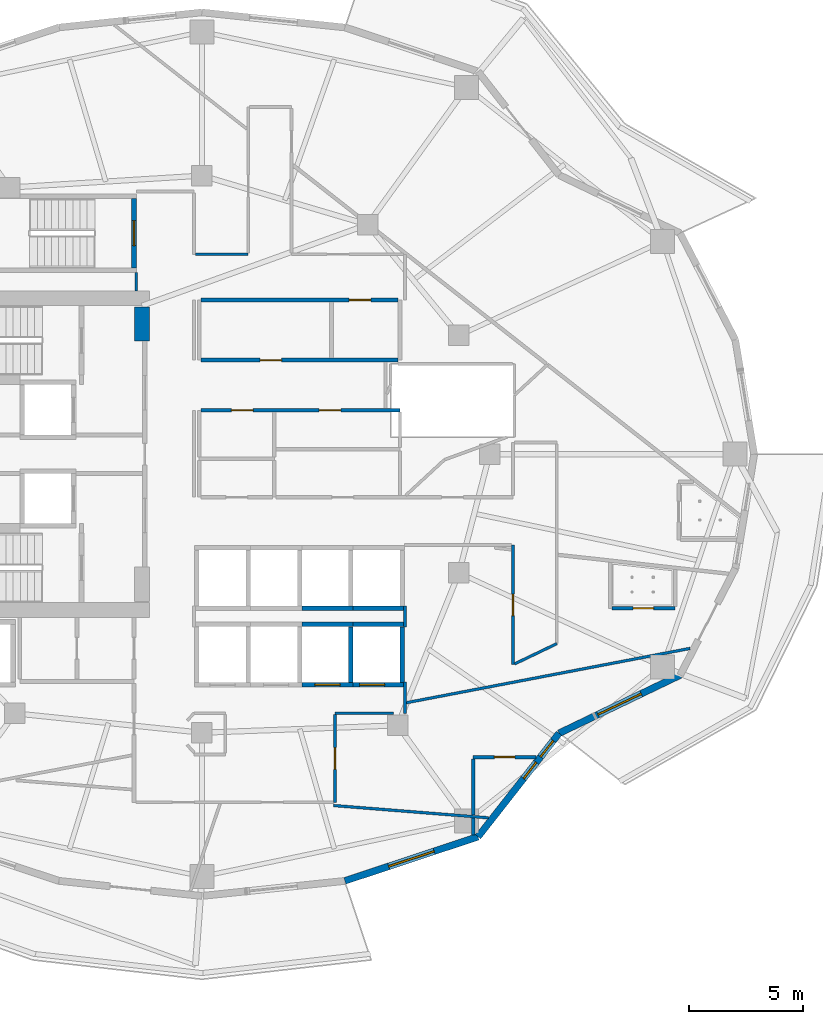
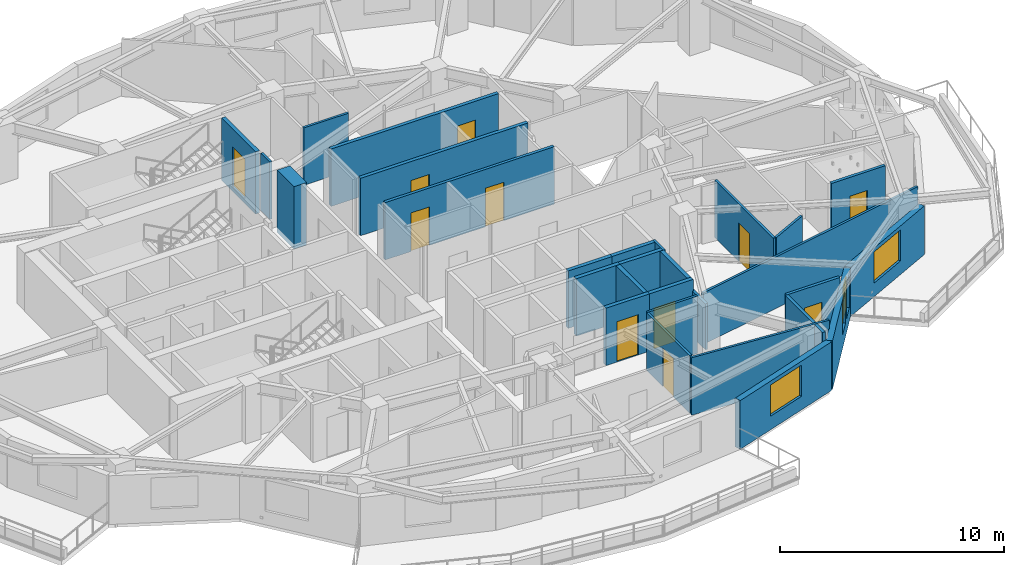
# One storey, part 5 of 14: 30 walls, 11 doors, 4 windows, 15 openings.
"""IFC4 building model written with IfcOpenShell, lengths in metres."""

from ifc_helpers import new_model, si_unit, direction, frame, frame_2d, origin, place, context, subcontext, project, spatial, rectangle, extrude, material, layer, layer_set, type_object, element, fill, save


model = new_model("IFC4")

# Units and contexts
model_context = context("Model", 3, precision=1e-05, world=origin(), true_north=direction((0.0, 1.0)))
body_context = subcontext(model_context, "Body", "Model", "MODEL_VIEW")
ifc_project = project(units=[si_unit("LENGTHUNIT", "METRE"), si_unit("AREAUNIT", "SQUARE_METRE"), si_unit("VOLUMEUNIT", "CUBIC_METRE"), si_unit("PLANEANGLEUNIT", "RADIAN"), si_unit("MASSUNIT", "GRAM", prefix="KILO")], contexts=[model_context])

# Site, building, storey
site_placement = place(None, origin())
site = spatial("IfcSite", under=ifc_project, at=site_placement, CompositionType="ELEMENT")
building_placement = place(site_placement, origin())
building = spatial("IfcBuilding", under=site, at=building_placement, Name="Kolvaren Gate Tower and Convention Centre", CompositionType="ELEMENT")
storey_placement = place(building_placement, frame((0.0, 0.0, 112.10009765625)))
storey = spatial("IfcBuildingStorey", under=building, at=storey_placement, Name="L27", CompositionType="ELEMENT", Elevation=112.10009765625)

# Wall, opening, door
ifc_material_1 = material(Name="Autoclaved Aerated Masonry Blockwork Class 4 (4.0 MPa)", Category="masonry")
ifc_layer_1 = layer(ifc_material_1, 0.179931640625)
ifc_layer_set_1 = layer_set([ifc_layer_1], Name="Autoclaved Aerated Masonry Blockwork Class 4 (4.0 MPa)")
wall_type_1 = type_object("IfcWallType", Name="ARCH-WL-COMP-180", PredefinedType="SOLIDWALL", material=ifc_layer_set_1)
wall_1_placement = place(storey_placement, frame((30.076904296875, 31.1201171875, 0.0), z_axis=(0.0, 0.0, 1.0), x_axis=(1.0, 0.0, 0.0)))
wall_1 = element("IfcWall", 1, at=wall_1_placement, inside=storey, type_object=wall_type_1, Name="Interior Partition WL-L27-INT-024", PredefinedType="SOLIDWALL", context=body_context, shape_type="SweptSolid", body=[
    extrude(rectangle(XDim=8.631103515625, YDim=0.179931640625, at=frame_2d((4.3154296875, 0.0))), origin(), (0.0, 0.0, 1.0), 3.1298828125),
])
opening_1_placement = place(wall_1_placement, frame((2.591552734375, 0.0, 0.0)))
opening_1 = element("IfcOpeningElement", 2, at=opening_1_placement, cuts=wall_1, Name="Opening DR-01", PredefinedType="OPENING", context=body_context, shape_type="SweptSolid", body=[
    extrude(rectangle(XDim=0.949951171875, YDim=2.10009765625, at=frame_2d((0.47509765625, 1.050048828125))), frame((0.0, 0.099853515625, 0.0), z_axis=(0.0, -1.0, 0.0), x_axis=(1.0, 0.0, 0.0)), (0.0, 0.0, 1.0), 0.199951171875),
])
ifc_material_2 = material(Name="Painted Architectural Steelwork ASTM A500 Grade C 345 MPa", Category="steel")
door_type_1 = type_object("IfcDoorType", Name="ARCH-DR-RISER-950", OperationType="SINGLE_SWING_RIGHT", PredefinedType="DOOR", material=ifc_material_2)
door_1_placement = place(opening_1_placement, origin())
door_1 = element("IfcDoor", 3, at=door_1_placement, inside=storey, type_object=door_type_1, Name="Steward Supply Store Door", OperationType="SINGLE_SWING_LEFT", OverallHeight=2.10009765625, OverallWidth=0.949951171875, PredefinedType="DOOR", context=body_context, shape_type="SweptSolid", body=[
    extrude(rectangle(XDim=0.949951171875, YDim=2.10009765625, at=frame_2d((0.47509765625, 1.050048828125))), frame((0.0, 0.02490234375, 0.0), z_axis=(0.0, -1.0, 0.0), x_axis=(1.0, 0.0, 0.0)), (0.0, 0.0, 1.0), 0.050048828125),
])
fill(opening_1, door_1)

wall_2_placement = place(storey_placement, frame((30.076904296875, 33.75, 0.0), z_axis=(0.0, 0.0, 1.0), x_axis=(1.0, 0.0, 0.0)))
wall_2 = element("IfcWall", 4, at=wall_2_placement, inside=storey, type_object=wall_type_1, Name="Interior Partition WL-L27-INT-025", PredefinedType="SOLIDWALL", context=body_context, shape_type="SweptSolid", body=[
    extrude(rectangle(XDim=8.631103515625, YDim=0.179931640625, at=frame_2d((4.3154296875, 0.0))), origin(), (0.0, 0.0, 1.0), 3.1298828125),
])
opening_2_placement = place(wall_2_placement, frame((6.4970703125, 0.0, 0.0)))
opening_2 = element("IfcOpeningElement", 5, at=opening_2_placement, cuts=wall_2, Name="Opening DR-01", PredefinedType="OPENING", context=body_context, shape_type="SweptSolid", body=[
    extrude(rectangle(XDim=0.949951171875, YDim=2.10009765625, at=frame_2d((0.47509765625, 1.050048828125))), frame((0.0, 0.099853515625, 0.0), z_axis=(0.0, -1.0, 0.0), x_axis=(1.0, 0.0, 0.0)), (0.0, 0.0, 1.0), 0.199951171875),
])
door_2_placement = place(opening_2_placement, origin())
door_2 = element("IfcDoor", 6, at=door_2_placement, inside=storey, type_object=door_type_1, Name="Floor Telecom Switch Room Door", OperationType="SINGLE_SWING_RIGHT", OverallHeight=2.10009765625, OverallWidth=0.949951171875, PredefinedType="DOOR", context=body_context, shape_type="SweptSolid", body=[
    extrude(rectangle(XDim=0.949951171875, YDim=2.10009765625, at=frame_2d((0.47509765625, 1.050048828125))), frame((0.0, 0.02490234375, 0.0), z_axis=(0.0, -1.0, 0.0), x_axis=(1.0, 0.0, 0.0)), (0.0, 0.0, 1.0), 0.050048828125),
])
fill(opening_2, door_2)

# Walls
ifc_material_3 = material(Name="Fire-Rated Acoustic Gypsum Stud Partition", Category="gypsum")
ifc_layer_2 = layer(ifc_material_3, 0.1201171875)
ifc_layer_set_2 = layer_set([ifc_layer_2], Name="Fire-Rated Acoustic Gypsum Stud Partition")
wall_type_2 = type_object("IfcWallType", Name="ARCH-WL-PART-120", PredefinedType="PARTITIONING", material=ifc_layer_set_2)
wall_3_placement = place(storey_placement, frame((39.02001953125, 15.64990234375, 0.0), z_axis=(0.0, 0.0, 1.0), x_axis=(0.0, 1.0, 0.0)))
element("IfcWall", 7, at=wall_3_placement, inside=storey, type_object=wall_type_2, Name="Interior Partition WL-L27-INT-027", PredefinedType="PARTITIONING", context=body_context, shape_type="SweptSolid", body=[
    extrude(rectangle(XDim=1.360107421875, YDim=0.1201171875, at=frame_2d((0.68017578125, 0.0))), origin(), (0.0, 0.0, 1.0), 2.5048828125),
])
wall_4_placement = place(storey_placement, frame((39.02001953125, 19.43994140625, 0.0), z_axis=(0.0, 0.0, 1.0), x_axis=(0.0, 1.0, 0.0)))
element("IfcWall", 8, at=wall_4_placement, inside=storey, type_object=wall_type_2, Name="Interior Partition WL-L27-INT-027 (2)", PredefinedType="PARTITIONING", context=body_context, shape_type="SweptSolid", body=[
    extrude(rectangle(XDim=0.920166015625, YDim=0.1201171875, at=frame_2d((0.4599609375, 0.0))), origin(), (0.0, 0.0, 1.0), 3.1298828125),
])
wall_5_placement = place(storey_placement, frame((35.949951171875, 15.64990234375, 0.0), z_axis=(0.0, 0.0, 1.0), x_axis=(1.0, 0.0, 0.0)))
element("IfcWall", 9, at=wall_5_placement, inside=storey, type_object=wall_type_2, Name="Interior Partition WL-L27-INT-030", PredefinedType="PARTITIONING", context=body_context, shape_type="SweptSolid", body=[
    extrude(rectangle(XDim=2.568115234375, YDim=0.1201171875, at=frame_2d((1.2841796875, 0.0))), origin(), (0.0, 0.0, 1.0), 3.1298828125),
])

# Wall, opening, door
wall_6_placement = place(storey_placement, frame((35.949951171875, 11.75, 0.0), z_axis=(0.0, 0.0, 1.0), x_axis=(0.0, 1.0, 0.0)))
wall_6 = element("IfcWall", 10, at=wall_6_placement, inside=storey, type_object=wall_type_2, Name="Interior Partition WL-L27-INT-031", PredefinedType="PARTITIONING", context=body_context, shape_type="SweptSolid", body=[
    extrude(rectangle(XDim=3.837890625, YDim=0.1201171875, at=frame_2d((1.9189453125, 0.0))), origin(), (0.0, 0.0, 1.0), 3.1298828125),
])
opening_3_placement = place(wall_6_placement, frame((1.444091796875, 0.0, 0.0)))
opening_3 = element("IfcOpeningElement", 11, at=opening_3_placement, cuts=wall_6, Name="Opening DR-01", PredefinedType="OPENING", context=body_context, shape_type="SweptSolid", body=[
    extrude(rectangle(XDim=0.949951171875, YDim=2.10009765625, at=frame_2d((0.47509765625, 1.050048828125))), frame((0.0, 0.070068359375, 0.0), z_axis=(0.0, -1.0, 0.0), x_axis=(1.0, 0.0, 0.0)), (0.0, 0.0, 1.0), 0.14013671875),
])
door_3_placement = place(opening_3_placement, origin())
door_3 = element("IfcDoor", 12, at=door_3_placement, inside=storey, type_object=door_type_1, Name="Deluxe Hotel Suite (HTL-L27-04) Door", OperationType="SINGLE_SWING_RIGHT", OverallHeight=2.10009765625, OverallWidth=0.949951171875, PredefinedType="DOOR", context=body_context, shape_type="SweptSolid", body=[
    extrude(rectangle(XDim=0.949951171875, YDim=2.10009765625, at=frame_2d((0.47509765625, 1.050048828125))), frame((0.0, 0.02490234375, 0.0), z_axis=(0.0, -1.0, 0.0), x_axis=(1.0, 0.0, 0.0)), (0.0, 0.0, 1.0), 0.050048828125),
])
fill(opening_3, door_3)

# Walls
wall_7_placement = place(storey_placement, frame((27.25, 34.152099609375, 0.0), z_axis=(0.0, 0.0, 1.0), x_axis=(0.0, 1.0, 0.0)))
element("IfcWall", 13, at=wall_7_placement, inside=storey, type_object=wall_type_2, Name="Interior Partition WL-L27-INT-033", PredefinedType="PARTITIONING", context=body_context, shape_type="SweptSolid", body=[
    extrude(rectangle(XDim=0.805908203125, YDim=0.1201171875, at=frame_2d((0.40283203125, 0.0))), origin(), (0.0, 0.0, 1.0), 3.1298828125),
])
wall_8_placement = place(storey_placement, frame((29.842041015625, 35.75, 0.0), z_axis=(0.0, 0.0, 1.0), x_axis=(1.0, 0.0, 0.0)))
element("IfcWall", 14, at=wall_8_placement, inside=storey, type_object=wall_type_2, Name="Interior Partition WL-L27-INT-039", PredefinedType="PARTITIONING", context=body_context, shape_type="SweptSolid", body=[
    extrude(rectangle(XDim=2.307861328125, YDim=0.1201171875, at=frame_2d((1.15380859375, 0.0))), origin(), (0.0, 0.0, 1.0), 3.1298828125),
])

# Wall, opening, door
wall_9_placement = place(storey_placement, frame((43.75, 17.779052734375, 0.0), z_axis=(0.0, 0.0, 1.0), x_axis=(0.0, 1.0, 0.0)))
wall_9 = element("IfcWall", 15, at=wall_9_placement, inside=storey, type_object=wall_type_2, Name="Interior Partition WL-L27-INT-045", PredefinedType="PARTITIONING", context=body_context, shape_type="SweptSolid", body=[
    extrude(rectangle(XDim=5.240966796875, YDim=0.1201171875, at=frame_2d((2.62060546875, 0.0))), origin(), (0.0, 0.0, 1.0), 3.1298828125),
])
opening_4_placement = place(wall_9_placement, frame((2.1455078125, 0.0, 0.0)))
opening_4 = element("IfcOpeningElement", 16, at=opening_4_placement, cuts=wall_9, Name="Opening DR-01", PredefinedType="OPENING", context=body_context, shape_type="SweptSolid", body=[
    extrude(rectangle(XDim=0.949951171875, YDim=2.10009765625, at=frame_2d((0.47509765625, 1.050048828125))), frame((0.0, 0.070068359375, 0.0), z_axis=(0.0, -1.0, 0.0), x_axis=(1.0, 0.0, 0.0)), (0.0, 0.0, 1.0), 0.14013671875),
])
door_4_placement = place(opening_4_placement, origin())
door_4 = element("IfcDoor", 17, at=door_4_placement, inside=storey, type_object=door_type_1, Name="Deluxe Hotel Suite (HTL-L27-05) Door", OperationType="SINGLE_SWING_LEFT", OverallHeight=2.10009765625, OverallWidth=0.949951171875, PredefinedType="DOOR", context=body_context, shape_type="SweptSolid", body=[
    extrude(rectangle(XDim=0.949951171875, YDim=2.10009765625, at=frame_2d((0.47509765625, 1.050048828125))), frame((0.0, 0.02490234375, 0.0), z_axis=(0.0, -1.0, 0.0), x_axis=(1.0, 0.0, 0.0)), (0.0, 0.0, 1.0), 0.050048828125),
])
fill(opening_4, door_4)

# Walls
wall_10_placement = place(storey_placement, frame((43.81201171875, 17.808837890625, 0.0), z_axis=(0.0, 0.0, 1.0), x_axis=(0.901467594949, 0.432846595525, 0.0)))
element("IfcWall", 18, at=wall_10_placement, inside=storey, type_object=wall_type_2, Name="Interior Partition WL-L27-INT-049", PredefinedType="PARTITIONING", context=body_context, shape_type="SweptSolid", body=[
    extrude(rectangle(XDim=2.06103515625, YDim=0.1201171875, at=frame_2d((1.030517578125, 0.0))), origin(), (0.0, 0.0, 1.0), 3.1298828125),
])
wall_11_placement = place(storey_placement, frame((39.08203125, 16.113525390625, 0.0), z_axis=(0.0, 0.0, 1.0), x_axis=(0.982162094293, 0.188036221334, 0.0)))
element("IfcWall", 19, at=wall_11_placement, inside=storey, type_object=wall_type_2, Name="Interior Partition WL-L27-INT-059", PredefinedType="PARTITIONING", context=body_context, shape_type="SweptSolid", body=[
    extrude(rectangle(XDim=12.648681640625, YDim=0.1201171875, at=frame_2d((6.32421875, 0.0))), origin(), (0.0, 0.0, 1.0), 2.81201171875),
])
wall_12_placement = place(storey_placement, frame((35.887939453125, 11.6103515625, 0.0), z_axis=(0.0, 0.0, 1.0), x_axis=(0.996863327207, -0.079142320341, 0.0)))
element("IfcWall", 20, at=wall_12_placement, inside=storey, type_object=wall_type_2, Name="Interior Partition WL-L27-INT-061", PredefinedType="PARTITIONING", context=body_context, shape_type="SweptSolid", body=[
    extrude(rectangle(XDim=6.80810546875, YDim=0.1201171875, at=frame_2d((3.404052734375, 0.0))), origin(), (0.0, 0.0, 1.0), 3.1298828125),
])
ifc_layer_3 = layer(ifc_material_1, 0.199951171875)
ifc_layer_set_3 = layer_set([ifc_layer_3], Name="Autoclaved Aerated Masonry Blockwork Class 4 (4.0 MPa)")
wall_type_3 = type_object("IfcWallType", Name="ARCH-WL-SHAFT-200", PredefinedType="SOLIDWALL", material=ifc_layer_set_3)
wall_13_placement = place(storey_placement, frame((34.5, 19.550048828125, 0.0), z_axis=(0.0, 0.0, 1.0), x_axis=(1.0, 0.0, 0.0)))
element("IfcWall", 21, at=wall_13_placement, inside=storey, type_object=wall_type_3, Name="Elevator PL-07 L27 Fire Shaft Wall N", PredefinedType="SOLIDWALL", context=body_context, shape_type="SweptSolid", body=[
    extrude(rectangle(XDim=2.25, YDim=0.199951171875, at=frame_2d((1.125, 0.0))), origin(), (0.0, 0.0, 1.0), 3.1298828125),
])

# Wall, opening, door
wall_14_placement = place(storey_placement, frame((34.5, 16.89990234375, 0.0), z_axis=(0.0, 0.0, 1.0), x_axis=(1.0, 0.0, 0.0)))
wall_14 = element("IfcWall", 22, at=wall_14_placement, inside=storey, type_object=wall_type_3, Name="Elevator PL-07 L27 Fire Shaft Wall S", PredefinedType="SOLIDWALL", context=body_context, shape_type="SweptSolid", body=[
    extrude(rectangle(XDim=2.25, YDim=0.199951171875, at=frame_2d((1.125, 0.0))), origin(), (0.0, 0.0, 1.0), 3.1298828125),
])
opening_5_placement = place(wall_14_placement, frame((0.574951171875, 0.0, 0.0)))
opening_5 = element("IfcOpeningElement", 23, at=opening_5_placement, cuts=wall_14, Name="Opening LD", PredefinedType="OPENING", context=body_context, shape_type="SweptSolid", body=[
    extrude(rectangle(XDim=1.10009765625, YDim=2.199951171875, at=frame_2d((0.550048828125, 1.10009765625))), frame((0.0, 0.10986328125, 0.0), z_axis=(0.0, -1.0, 0.0), x_axis=(1.0, 0.0, 0.0)), (0.0, 0.0, 1.0), 0.219970703125),
])
ifc_material_4 = material(Name="Brushed Stainless Steel Grade 316L", Category="steel")
door_type_2 = type_object("IfcDoorType", Name="ARCH-DR-LIFT-1100", OperationType="SLIDING_TO_LEFT", PredefinedType="DOOR", material=ifc_material_4)
door_5_placement = place(opening_5_placement, origin())
door_5 = element("IfcDoor", 24, at=door_5_placement, inside=storey, type_object=door_type_2, Name="Elevator PL-07 L27 Sliding Landing Door", OperationType="SLIDING_TO_LEFT", OverallHeight=2.199951171875, OverallWidth=1.10009765625, PredefinedType="DOOR", context=body_context, shape_type="SweptSolid", body=[
    extrude(rectangle(XDim=1.10009765625, YDim=2.199951171875, at=frame_2d((0.550048828125, 1.10009765625))), frame((0.0, 0.02490234375, 0.0), z_axis=(0.0, -1.0, 0.0), x_axis=(1.0, 0.0, 0.0)), (0.0, 0.0, 1.0), 0.050048828125),
])
fill(opening_5, door_5)

# Walls
wall_15_placement = place(storey_placement, frame((36.64990234375, 17.010009765625, 0.0), z_axis=(0.0, 0.0, 1.0), x_axis=(0.0, 1.0, 0.0)))
element("IfcWall", 25, at=wall_15_placement, inside=storey, type_object=wall_type_3, Name="Elevator PL-07 L27 Fire Shaft Wall E", PredefinedType="SOLIDWALL", context=body_context, shape_type="SweptSolid", body=[
    extrude(rectangle(XDim=2.429931640625, YDim=0.199951171875, at=frame_2d((1.21484375, 0.0))), origin(), (0.0, 0.0, 1.0), 3.1298828125),
])
wall_16_placement = place(storey_placement, frame((36.75, 19.550048828125, 0.0), z_axis=(0.0, 0.0, 1.0), x_axis=(1.0, 0.0, 0.0)))
element("IfcWall", 26, at=wall_16_placement, inside=storey, type_object=wall_type_3, Name="Elevator PL-08 L27 Fire Shaft Wall N", PredefinedType="SOLIDWALL", context=body_context, shape_type="SweptSolid", body=[
    extrude(rectangle(XDim=2.25, YDim=0.199951171875, at=frame_2d((1.125, 0.0))), origin(), (0.0, 0.0, 1.0), 3.1298828125),
])

# Wall, opening, door
wall_17_placement = place(storey_placement, frame((36.75, 16.89990234375, 0.0), z_axis=(0.0, 0.0, 1.0), x_axis=(1.0, 0.0, 0.0)))
wall_17 = element("IfcWall", 27, at=wall_17_placement, inside=storey, type_object=wall_type_3, Name="Elevator PL-08 L27 Fire Shaft Wall S", PredefinedType="SOLIDWALL", context=body_context, shape_type="SweptSolid", body=[
    extrude(rectangle(XDim=2.25, YDim=0.199951171875, at=frame_2d((1.125, 0.0))), origin(), (0.0, 0.0, 1.0), 3.1298828125),
])
opening_6_placement = place(wall_17_placement, frame((0.280029296875, 0.0, 0.0)))
opening_6 = element("IfcOpeningElement", 28, at=opening_6_placement, cuts=wall_17, Name="Opening LD", PredefinedType="OPENING", context=body_context, shape_type="SweptSolid", body=[
    extrude(rectangle(XDim=1.10009765625, YDim=2.199951171875, at=frame_2d((0.550048828125, 1.10009765625))), frame((0.0, 0.10986328125, 0.0), z_axis=(0.0, -1.0, 0.0), x_axis=(1.0, 0.0, 0.0)), (0.0, 0.0, 1.0), 0.219970703125),
])
door_6_placement = place(opening_6_placement, origin())
door_6 = element("IfcDoor", 29, at=door_6_placement, inside=storey, type_object=door_type_2, Name="Elevator PL-08 L27 Sliding Landing Door", OperationType="SLIDING_TO_LEFT", OverallHeight=2.199951171875, OverallWidth=1.10009765625, PredefinedType="DOOR", context=body_context, shape_type="SweptSolid", body=[
    extrude(rectangle(XDim=1.10009765625, YDim=2.199951171875, at=frame_2d((0.550048828125, 1.10009765625))), frame((0.0, 0.02490234375, 0.0), z_axis=(0.0, -1.0, 0.0), x_axis=(1.0, 0.0, 0.0)), (0.0, 0.0, 1.0), 0.050048828125),
])
fill(opening_6, door_6)

# Walls
wall_18_placement = place(storey_placement, frame((38.89990234375, 17.010009765625, 0.0), z_axis=(0.0, 0.0, 1.0), x_axis=(0.0, 1.0, 0.0)))
element("IfcWall", 30, at=wall_18_placement, inside=storey, type_object=wall_type_3, Name="Elevator PL-08 L27 Fire Shaft Wall E", PredefinedType="SOLIDWALL", context=body_context, shape_type="SweptSolid", body=[
    extrude(rectangle(XDim=2.429931640625, YDim=0.199951171875, at=frame_2d((1.21484375, 0.0))), origin(), (0.0, 0.0, 1.0), 3.1298828125),
])
for number, where, z_axis, x_axis, name in (
    (31, (34.5, 20.25, 0.0), (0.0, 0.0, 1.0), (1.0, 0.0, 0.0), "Elevator PL-11 L27 Fire Shaft Wall S"),
    (32, (36.75, 20.25, 0.0), (0.0, 0.0, 1.0), (1.0, 0.0, 0.0), "Elevator PL-12 L27 Fire Shaft Wall S"),
):
    element("IfcWall", number, at=place(storey_placement, frame(where, z_axis=z_axis, x_axis=x_axis)), inside=storey, type_object=wall_type_3, Name=name, PredefinedType="SOLIDWALL", context=body_context, shape_type="SweptSolid", body=[
        extrude(rectangle(XDim=2.25, YDim=0.199951171875, at=frame_2d((1.125, 0.0))), origin(), (0.0, 0.0, 1.0), 3.1298828125),
    ])

# Wall, opening, window
ifc_material_5 = material(Name="Piedmont Cream Honed Limestone Cladding", Category="masonry")
ifc_layer_4 = layer(ifc_material_5, 0.300048828125)
ifc_layer_set_4 = layer_set([ifc_layer_4], Name="Piedmont Cream Honed Limestone Cladding")
wall_type_4 = type_object("IfcWallType", Name="ARCH-WL-STONE-300", PredefinedType="SOLIDWALL", material=ifc_layer_set_4)
wall_19_placement = place(storey_placement, frame((36.38525390625, 8.309326171875, 0.0), z_axis=(0.0, 0.0, 1.0), x_axis=(0.949238009374, 0.314558741032, 0.0)))
wall_19 = element("IfcWall", 33, at=wall_19_placement, inside=storey, type_object=wall_type_4, Name="Tower L27 Honed Stone Spandrel Wall EW-19", PredefinedType="SOLIDWALL", context=body_context, shape_type="SweptSolid", body=[
    extrude(rectangle(XDim=6.1455078125, YDim=0.300048828125, at=frame_2d((3.07275390625, 0.0))), origin(), (0.0, 0.0, 1.0), 2.65283203125),
])
opening_7_placement = place(wall_19_placement, frame((2.02294921875, 0.0, 0.739990234375)))
opening_7 = element("IfcOpeningElement", 34, at=opening_7_placement, cuts=wall_19, Name="Opening W-02", PredefinedType="OPENING", context=body_context, shape_type="SweptSolid", body=[
    extrude(rectangle(XDim=2.10009765625, YDim=1.699951171875, at=frame_2d((1.050048828125, 0.85009765625))), frame((0.0, 0.159912109375, 0.0), z_axis=(0.0, -1.0, 0.0), x_axis=(1.0, 0.0, 0.0)), (0.0, 0.0, 1.0), 0.320068359375),
])
ifc_material_6 = material(Name="Low-E Triple Insulated Glazing Unit 44 mm", Category="glass")
window_type_1 = type_object("IfcWindowType", Name="ARCH-WN-HTL-2100", PartitioningType="SINGLE_PANEL", PredefinedType="WINDOW", material=ifc_material_6)
window_1_placement = place(opening_7_placement, origin())
window_1 = element("IfcWindow", 35, at=window_1_placement, inside=storey, type_object=window_type_1, Name="Tower L27 Punched Stone Facade Window W-19", OverallHeight=1.699951171875, OverallWidth=2.10009765625, PartitioningType="SINGLE_PANEL", PredefinedType="WINDOW", context=body_context, shape_type="SweptSolid", body=[
    extrude(rectangle(XDim=2.10009765625, YDim=1.699951171875, at=frame_2d((1.050048828125, 0.85009765625))), frame((0.0, 0.030029296875, 0.0), z_axis=(0.0, -1.0, 0.0), x_axis=(1.0, 0.0, 0.0)), (0.0, 0.0, 1.0), 0.06005859375),
])
fill(opening_7, window_1)

# Wall, openings, windows
wall_20_placement = place(storey_placement, frame((42.21875, 10.242431640625, 0.0), z_axis=(0.0, 0.0, 1.0), x_axis=(0.616435134162, 0.787405693001, 0.0)))
wall_20 = element("IfcWall", 36, at=wall_20_placement, inside=storey, type_object=wall_type_4, Name="Tower L27 Honed Stone Spandrel Wall EW-20", PredefinedType="SOLIDWALL", context=body_context, shape_type="SweptSolid", body=[
    extrude(rectangle(XDim=5.759033203125, YDim=0.300048828125, at=frame_2d((2.87939453125, 0.0))), origin(), (0.0, 0.0, 1.0), 2.65283203125),
])
opening_8_placement = place(wall_20_placement, frame((3.236083984375, 0.0, 0.739990234375)))
opening_8 = element("IfcOpeningElement", 37, at=opening_8_placement, cuts=wall_20, Name="Opening W-06", PredefinedType="OPENING", context=body_context, shape_type="SweptSolid", body=[
    extrude(rectangle(XDim=0.89990234375, YDim=1.699951171875, at=frame_2d((0.449951171875, 0.85009765625))), frame((0.0, 0.159912109375, 0.0), z_axis=(0.0, -1.0, 0.0), x_axis=(1.0, 0.0, 0.0)), (0.0, 0.0, 1.0), 0.320068359375),
])
opening_9_placement = place(wall_20_placement, frame((4.4453125, 0.0, 0.739990234375)))
opening_9 = element("IfcOpeningElement", 38, at=opening_9_placement, cuts=wall_20, Name="Opening W-06", PredefinedType="OPENING", context=body_context, shape_type="SweptSolid", body=[
    extrude(rectangle(XDim=0.89990234375, YDim=1.699951171875, at=frame_2d((0.449951171875, 0.85009765625))), frame((0.0, 0.159912109375, 0.0), z_axis=(0.0, -1.0, 0.0), x_axis=(1.0, 0.0, 0.0)), (0.0, 0.0, 1.0), 0.320068359375),
])
window_type_2 = type_object("IfcWindowType", Name="ARCH-WN-PUNCH-900", PartitioningType="SINGLE_PANEL", PredefinedType="WINDOW", material=ifc_material_6)
window_2_placement = place(opening_8_placement, origin())
window_2 = element("IfcWindow", 39, at=window_2_placement, inside=storey, type_object=window_type_2, Name="Tower L27 Punched Stone Facade Window W-20", OverallHeight=1.699951171875, OverallWidth=0.89990234375, PartitioningType="SINGLE_PANEL", PredefinedType="WINDOW", context=body_context, shape_type="SweptSolid", body=[
    extrude(rectangle(XDim=0.89990234375, YDim=1.699951171875, at=frame_2d((0.449951171875, 0.85009765625))), frame((0.0, 0.030029296875, 0.0), z_axis=(0.0, -1.0, 0.0), x_axis=(1.0, 0.0, 0.0)), (0.0, 0.0, 1.0), 0.06005859375),
])
fill(opening_8, window_2)
window_3_placement = place(opening_9_placement, origin())
window_3 = element("IfcWindow", 40, at=window_3_placement, inside=storey, type_object=window_type_2, Name="Tower L27 Punched Stone Facade Window W-20B", OverallHeight=1.699951171875, OverallWidth=0.89990234375, PartitioningType="SINGLE_PANEL", PredefinedType="WINDOW", context=body_context, shape_type="SweptSolid", body=[
    extrude(rectangle(XDim=0.89990234375, YDim=1.699951171875, at=frame_2d((0.449951171875, 0.85009765625))), frame((0.0, 0.030029296875, 0.0), z_axis=(0.0, -1.0, 0.0), x_axis=(1.0, 0.0, 0.0)), (0.0, 0.0, 1.0), 0.06005859375),
])
fill(opening_9, window_3)

# Wall, opening, window
wall_21_placement = place(storey_placement, frame((45.768798828125, 14.777099609375, 0.0), z_axis=(0.0, 0.0, 1.0), x_axis=(0.901370184739, 0.433049408339, 0.0)))
wall_21 = element("IfcWall", 41, at=wall_21_placement, inside=storey, type_object=wall_type_4, Name="Tower L27 Honed Stone Spandrel Wall EW-21", PredefinedType="SOLIDWALL", context=body_context, shape_type="SweptSolid", body=[
    extrude(rectangle(XDim=5.883544921875, YDim=0.300048828125, at=frame_2d((2.94189453125, 0.0))), origin(), (0.0, 0.0, 1.0), 2.65283203125),
])
opening_10_placement = place(wall_21_placement, frame((1.89208984375, 0.0, 0.739990234375)))
opening_10 = element("IfcOpeningElement", 42, at=opening_10_placement, cuts=wall_21, Name="Opening W-02", PredefinedType="OPENING", context=body_context, shape_type="SweptSolid", body=[
    extrude(rectangle(XDim=2.10009765625, YDim=1.699951171875, at=frame_2d((1.050048828125, 0.85009765625))), frame((0.0, 0.159912109375, 0.0), z_axis=(0.0, -1.0, 0.0), x_axis=(1.0, 0.0, 0.0)), (0.0, 0.0, 1.0), 0.320068359375),
])
window_4_placement = place(opening_10_placement, origin())
window_4 = element("IfcWindow", 43, at=window_4_placement, inside=storey, type_object=window_type_1, Name="Tower L27 Punched Stone Facade Window W-21", OverallHeight=1.699951171875, OverallWidth=2.10009765625, PartitioningType="SINGLE_PANEL", PredefinedType="WINDOW", context=body_context, shape_type="SweptSolid", body=[
    extrude(rectangle(XDim=2.10009765625, YDim=1.699951171875, at=frame_2d((1.050048828125, 0.85009765625))), frame((0.0, 0.030029296875, 0.0), z_axis=(0.0, -1.0, 0.0), x_axis=(1.0, 0.0, 0.0)), (0.0, 0.0, 1.0), 0.06005859375),
])
fill(opening_10, window_4)

# Wall, openings, doors
ifc_material_7 = material(Name="Moisture-Resistant Cement-Board Acoustic Partition", Category="gypsum")
ifc_layer_5 = layer(ifc_material_7, 0.14990234375)
ifc_layer_set_5 = layer_set([ifc_layer_5], Name="Moisture-Resistant Cement-Board Acoustic Partition")
wall_type_5 = type_object("IfcWallType", Name="ARCH-WL-WET-150", PredefinedType="PARTITIONING", material=ifc_layer_set_5)
wall_22_placement = place(storey_placement, frame((30.076904296875, 28.919921875, 0.0), z_axis=(0.0, 0.0, 1.0), x_axis=(1.0, 0.0, 0.0)))
wall_22 = element("IfcWall", 44, at=wall_22_placement, inside=storey, type_object=wall_type_5, Name="Interior Partition WL-L27-INT-018", PredefinedType="PARTITIONING", context=body_context, shape_type="SweptSolid", body=[
    extrude(rectangle(XDim=8.72314453125, YDim=0.14990234375, at=frame_2d((4.361572265625, 0.0))), origin(), (0.0, 0.0, 1.0), 3.1298828125),
])
opening_11_placement = place(wall_22_placement, frame((1.341552734375, 0.0, 0.0)))
opening_11 = element("IfcOpeningElement", 45, at=opening_11_placement, cuts=wall_22, Name="Opening DR-01", PredefinedType="OPENING", context=body_context, shape_type="SweptSolid", body=[
    extrude(rectangle(XDim=0.949951171875, YDim=2.10009765625, at=frame_2d((0.47509765625, 1.050048828125))), frame((0.0, 0.0849609375, 0.0), z_axis=(0.0, -1.0, 0.0), x_axis=(1.0, 0.0, 0.0)), (0.0, 0.0, 1.0), 0.169921875),
])
opening_12_placement = place(wall_22_placement, frame((5.177978515625, 0.0, 0.0)))
opening_12 = element("IfcOpeningElement", 46, at=opening_12_placement, cuts=wall_22, Name="Opening DR-01", PredefinedType="OPENING", context=body_context, shape_type="SweptSolid", body=[
    extrude(rectangle(XDim=0.949951171875, YDim=2.10009765625, at=frame_2d((0.47509765625, 1.050048828125))), frame((0.0, 0.0849609375, 0.0), z_axis=(0.0, -1.0, 0.0), x_axis=(1.0, 0.0, 0.0)), (0.0, 0.0, 1.0), 0.169921875),
])
door_7_placement = place(opening_11_placement, origin())
door_7 = element("IfcDoor", 47, at=door_7_placement, inside=storey, type_object=door_type_1, Name="Accessible North Washroom Door", OperationType="SINGLE_SWING_LEFT", OverallHeight=2.10009765625, OverallWidth=0.949951171875, PredefinedType="DOOR", context=body_context, shape_type="SweptSolid", body=[
    extrude(rectangle(XDim=0.949951171875, YDim=2.10009765625, at=frame_2d((0.47509765625, 1.050048828125))), frame((0.0, 0.02490234375, 0.0), z_axis=(0.0, -1.0, 0.0), x_axis=(1.0, 0.0, 0.0)), (0.0, 0.0, 1.0), 0.050048828125),
])
fill(opening_11, door_7)
door_8_placement = place(opening_12_placement, origin())
door_8 = element("IfcDoor", 48, at=door_8_placement, inside=storey, type_object=door_type_1, Name="Hotel Housekeeping and Linen Store Door", OperationType="SINGLE_SWING_LEFT", OverallHeight=2.10009765625, OverallWidth=0.949951171875, PredefinedType="DOOR", context=body_context, shape_type="SweptSolid", body=[
    extrude(rectangle(XDim=0.949951171875, YDim=2.10009765625, at=frame_2d((0.47509765625, 1.050048828125))), frame((0.0, 0.02490234375, 0.0), z_axis=(0.0, -1.0, 0.0), x_axis=(1.0, 0.0, 0.0)), (0.0, 0.0, 1.0), 0.050048828125),
])
fill(opening_12, door_8)

# Wall, opening, door
wall_23_placement = place(storey_placement, frame((42.0, 13.73388671875, 0.0), z_axis=(0.0, 0.0, 1.0), x_axis=(1.0, 0.0, 0.0)))
wall_23 = element("IfcWall", 49, at=wall_23_placement, inside=storey, type_object=wall_type_5, Name="Interior Partition WL-L27-INT-063", PredefinedType="PARTITIONING", context=body_context, shape_type="SweptSolid", body=[
    extrude(rectangle(XDim=2.75927734375, YDim=0.14990234375, at=frame_2d((1.379638671875, 0.0))), origin(), (0.0, 0.0, 1.0), 3.1298828125),
])
opening_13_placement = place(wall_23_placement, frame((0.9296875, 0.0, 0.0)))
opening_13 = element("IfcOpeningElement", 50, at=opening_13_placement, cuts=wall_23, Name="Opening DW-01", PredefinedType="OPENING", context=body_context, shape_type="SweptSolid", body=[
    extrude(rectangle(XDim=0.89990234375, YDim=2.10009765625, at=frame_2d((0.449951171875, 1.050048828125))), frame((0.0, 0.0849609375, 0.0), z_axis=(0.0, -1.0, 0.0), x_axis=(1.0, 0.0, 0.0)), (0.0, 0.0, 1.0), 0.169921875),
])
ifc_material_8 = material(Name="FSC Andean Oak Engineered Veneer Door Leaf", Category="wood")
door_type_3 = type_object("IfcDoorType", Name="ARCH-DR-WC-900", OperationType="SINGLE_SWING_RIGHT", PredefinedType="DOOR", material=ifc_material_8)
door_9_placement = place(opening_13_placement, origin())
door_9 = element("IfcDoor", 51, at=door_9_placement, inside=storey, type_object=door_type_3, Name="En-suite Bathroom (HTL-L27-04) Door", OperationType="SINGLE_SWING_RIGHT", OverallHeight=2.10009765625, OverallWidth=0.89990234375, PredefinedType="DOOR", context=body_context, shape_type="SweptSolid", body=[
    extrude(rectangle(XDim=0.89990234375, YDim=2.10009765625, at=frame_2d((0.449951171875, 1.050048828125))), frame((0.0, 0.02490234375, 0.0), z_axis=(0.0, -1.0, 0.0), x_axis=(1.0, 0.0, 0.0)), (0.0, 0.0, 1.0), 0.050048828125),
])
fill(opening_13, door_9)

# Walls
wall_24_placement = place(storey_placement, frame((42.0, 10.330078125, 0.0), z_axis=(0.0, 0.0, 1.0), x_axis=(0.0, 1.0, 0.0)))
element("IfcWall", 52, at=wall_24_placement, inside=storey, type_object=wall_type_5, Name="Interior Partition WL-L27-INT-064", PredefinedType="PARTITIONING", context=body_context, shape_type="SweptSolid", body=[
    extrude(rectangle(XDim=0.73291015625, YDim=0.14990234375, at=frame_2d((0.366455078125, 0.0))), origin(), (0.0, 0.0, 1.0), 3.1298828125),
])
wall_25_placement = place(storey_placement, frame((42.0, 11.1875, 0.0), z_axis=(0.0, 0.0, 1.0), x_axis=(0.0, 1.0, 0.0)))
element("IfcWall", 53, at=wall_25_placement, inside=storey, type_object=wall_type_5, Name="Interior Partition WL-L27-INT-064 (2)", PredefinedType="PARTITIONING", context=body_context, shape_type="SweptSolid", body=[
    extrude(rectangle(XDim=2.469482421875, YDim=0.14990234375, at=frame_2d((1.23486328125, 0.0))), origin(), (0.0, 0.0, 1.0), 3.1298828125),
])

# Wall, opening, door
wall_26_placement = place(storey_placement, frame((48.076904296875, 20.25, 0.0), z_axis=(0.0, 0.0, 1.0), x_axis=(1.0, 0.0, 0.0)))
wall_26 = element("IfcWall", 54, at=wall_26_placement, inside=storey, type_object=wall_type_5, Name="Interior Partition WL-L27-INT-066", PredefinedType="PARTITIONING", context=body_context, shape_type="SweptSolid", body=[
    extrude(rectangle(XDim=2.773193359375, YDim=0.14990234375, at=frame_2d((1.38671875, 0.0))), origin(), (0.0, 0.0, 1.0), 3.1298828125),
])
opening_14_placement = place(wall_26_placement, frame((0.9365234375, 0.0, 0.0)))
opening_14 = element("IfcOpeningElement", 55, at=opening_14_placement, cuts=wall_26, Name="Opening DW-01", PredefinedType="OPENING", context=body_context, shape_type="SweptSolid", body=[
    extrude(rectangle(XDim=0.89990234375, YDim=2.10009765625, at=frame_2d((0.449951171875, 1.050048828125))), frame((0.0, 0.0849609375, 0.0), z_axis=(0.0, -1.0, 0.0), x_axis=(1.0, 0.0, 0.0)), (0.0, 0.0, 1.0), 0.169921875),
])
door_10_placement = place(opening_14_placement, origin())
door_10 = element("IfcDoor", 56, at=door_10_placement, inside=storey, type_object=door_type_3, Name="En-suite Bathroom (HTL-L27-05) Door", OperationType="SINGLE_SWING_LEFT", OverallHeight=2.10009765625, OverallWidth=0.89990234375, PredefinedType="DOOR", context=body_context, shape_type="SweptSolid", body=[
    extrude(rectangle(XDim=0.89990234375, YDim=2.10009765625, at=frame_2d((0.449951171875, 1.050048828125))), frame((0.0, 0.02490234375, 0.0), z_axis=(0.0, -1.0, 0.0), x_axis=(1.0, 0.0, 0.0)), (0.0, 0.0, 1.0), 0.050048828125),
])
fill(opening_14, door_10)

# Wall
ifc_material_9 = material(Name="Concrete C60/75", Category="concrete")
ifc_layer_6 = layer(ifc_material_9, 0.64990234375)
ifc_layer_set_6 = layer_set([ifc_layer_6], Name="Concrete C60/75")
wall_type_6 = type_object("IfcWallType", Name="STR-WL-CORE-650", PredefinedType="SHEAR", material=ifc_layer_set_6)
wall_27_placement = place(storey_placement, frame((27.5, 31.949951171875, -0.27001953125), z_axis=(0.0, 0.0, 1.0), x_axis=(0.0, 1.0, 0.0)))
element("IfcWall", 57, at=wall_27_placement, inside=storey, type_object=wall_type_6, Name="Tower L27 Offset Core Shear Wall EN", PredefinedType="SHEAR", context=body_context, shape_type="SweptSolid", body=[
    extrude(rectangle(XDim=1.5, YDim=0.64990234375, at=frame_2d((0.75, 0.0))), origin(), (0.0, 0.0, 1.0), 3.39990234375),
])

# Wall, opening, door
ifc_material_10 = material(Name="Concrete C50/60", Category="concrete")
ifc_layer_7 = layer(ifc_material_10, 0.199951171875)
ifc_layer_set_7 = layer_set([ifc_layer_7], Name="Concrete C50/60")
wall_type_7 = type_object("IfcWallType", Name="STR-WL-SHAFT-200", PredefinedType="SHEAR", material=ifc_layer_set_7)
wall_28_placement = place(storey_placement, frame((27.14990234375, 35.159912109375, -0.27001953125), z_axis=(0.0, 0.0, 1.0), x_axis=(0.0, 1.0, 0.0)))
wall_28 = element("IfcWall", 58, at=wall_28_placement, inside=storey, type_object=wall_type_7, Name="Tower Mid-Zone Exit Stair ST-T3 L27 Structural Shear Enclosure Wall NEAR", PredefinedType="SHEAR", context=body_context, shape_type="SweptSolid", body=[
    extrude(rectangle(XDim=3.0400390625, YDim=0.199951171875, at=frame_2d((1.52001953125, 0.0))), origin(), (0.0, 0.0, 1.0), 3.39990234375),
])
opening_15_placement = place(wall_28_placement, frame((0.969970703125, 0.0, 0.27001953125)))
opening_15 = element("IfcOpeningElement", 59, at=opening_15_placement, cuts=wall_28, Name="Opening DS-01", PredefinedType="OPENING", context=body_context, shape_type="SweptSolid", body=[
    extrude(rectangle(XDim=1.10009765625, YDim=2.14990234375, at=frame_2d((0.550048828125, 1.074951171875))), frame((0.0, 0.10986328125, 0.0), z_axis=(0.0, -1.0, 0.0), x_axis=(1.0, 0.0, 0.0)), (0.0, 0.0, 1.0), 0.219970703125),
])
door_type_4 = type_object("IfcDoorType", Name="ARCH-DR-STAIR-1100", OperationType="SINGLE_SWING_LEFT", PredefinedType="DOOR", material=ifc_material_2)
door_11_placement = place(opening_15_placement, origin())
door_11 = element("IfcDoor", 60, at=door_11_placement, inside=storey, type_object=door_type_4, Name="Tower Mid-Zone Exit Stair ST-T3 L27 Fire Exit Stair Door", OperationType="SINGLE_SWING_LEFT", OverallHeight=2.14990234375, OverallWidth=1.10009765625, PredefinedType="DOOR", context=body_context, shape_type="SweptSolid", body=[
    extrude(rectangle(XDim=1.10009765625, YDim=2.14990234375, at=frame_2d((0.550048828125, 1.074951171875))), frame((0.0, 0.02490234375, 0.0), z_axis=(0.0, -1.0, 0.0), x_axis=(1.0, 0.0, 0.0)), (0.0, 0.0, 1.0), 0.050048828125),
])
fill(opening_15, door_11)

save(model, "model.ifc")
